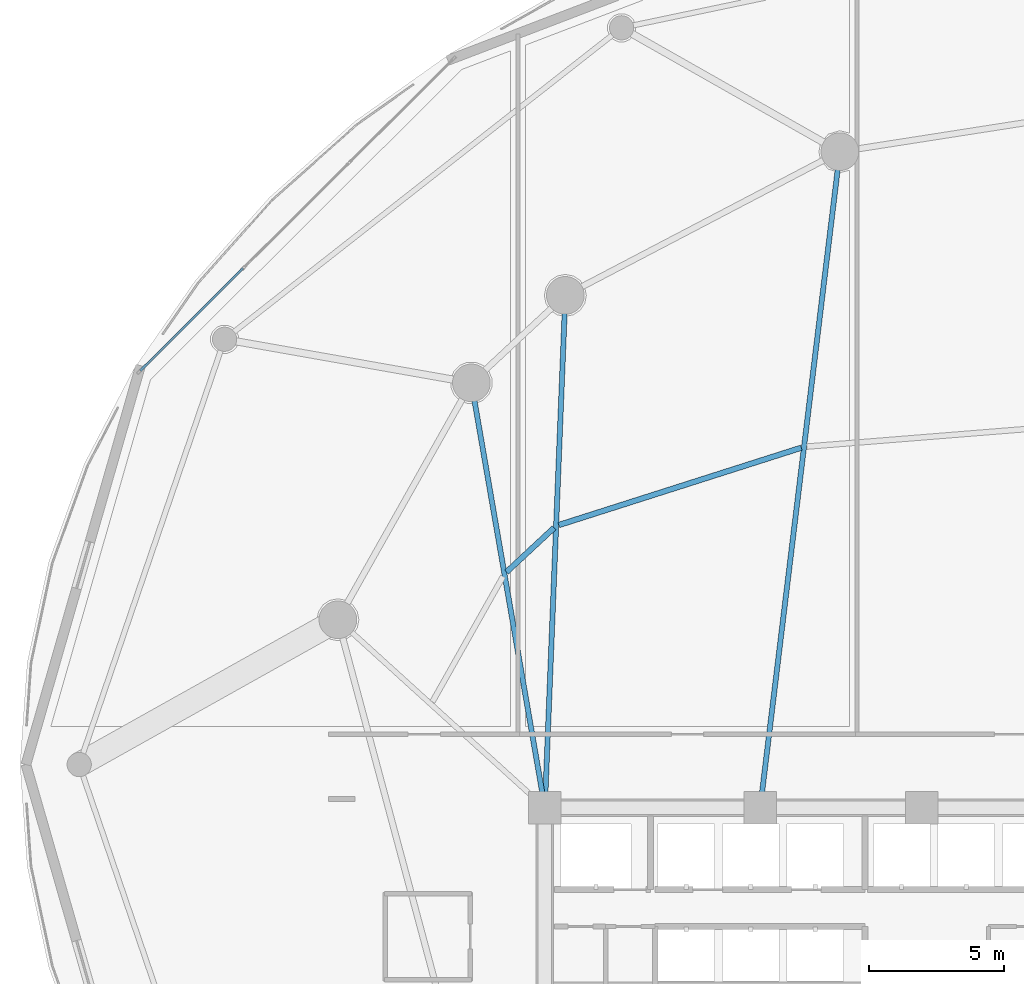
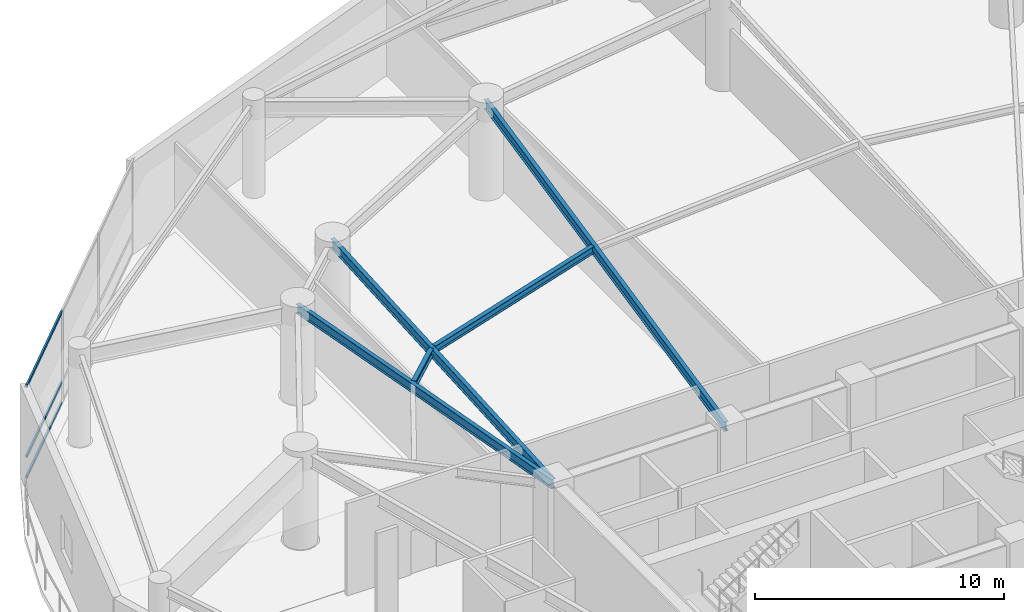
# One storey, part 7 of 36: 5 beams, 3 members, 1 element without a shape of its own.
"""IFC4 building model written with IfcOpenShell, lengths in metres."""

from ifc_helpers import new_model, si_unit, direction, frame, origin, origin_2d, place, context, subcontext, project, spatial, hollow_rectangle, i_section, extrude, material, layer, layer_set, material_profile, profile_set, type_object, element, aggregate, save


model = new_model("IFC4")

# Units and contexts
model_context = context("Model", 3, precision=1e-05, world=origin(), true_north=direction((0.0, 1.0)))
body_context = subcontext(model_context, "Body", "Model", "MODEL_VIEW")
ifc_project = project(units=[si_unit("LENGTHUNIT", "METRE"), si_unit("AREAUNIT", "SQUARE_METRE"), si_unit("VOLUMEUNIT", "CUBIC_METRE"), si_unit("PLANEANGLEUNIT", "RADIAN"), si_unit("MASSUNIT", "GRAM", prefix="KILO")], contexts=[model_context])

# Site, building, storey
site_placement = place(None, origin())
site = spatial("IfcSite", under=ifc_project, at=site_placement, CompositionType="ELEMENT")
building_placement = place(site_placement, origin())
building = spatial("IfcBuilding", under=site, at=building_placement, Name="Kazevale Care Tower and Concert Hall", CompositionType="ELEMENT")
storey_placement = place(building_placement, frame((0.0, 0.0, 14.39990234375)))
storey = spatial("IfcBuildingStorey", under=building, at=storey_placement, Name="L03", CompositionType="ELEMENT", Elevation=14.39990234375)

# Curtain wall, members
ifc_material_1 = material(Name="Aluminium 6063-T6 and Low-E Glass", Category="aluminium")
ifc_layer = layer(ifc_material_1, 0.179931640625)
ifc_layer_set = layer_set([ifc_layer], Name="Aluminium 6063-T6 and Low-E Glass")
curtain_wall_type = type_object("IfcCurtainWallType", Name="Podium Double-Skin Medical Curtain Wall CW-1", PredefinedType="NOTDEFINED", material=ifc_layer_set)
curtain_wall_placement = place(storey_placement, origin())
curtain_wall = element("IfcCurtainWall", 1, at=curtain_wall_placement, inside=storey, type_object=curtain_wall_type, Name="cw:L03:pod:06", PredefinedType="NOTDEFINED")
ifc_material_2 = material(Name="Aluminium 6063-T6", Category="aluminium")
ifc_material_profile_1 = material_profile(ifc_material_2, hollow_rectangle(XDim=0.080078125, YDim=0.139892578125, WallThickness=0.00390625, at=origin_2d()), Name="ALU80x140x4")
ifc_profile_set_1 = profile_set([ifc_material_profile_1], Name="Aluminium 6063-T6")
member_type = type_object("IfcMemberType", Name="CW-1 Transom ALU80x140x4", PredefinedType="USERDEFINED", material=ifc_profile_set_1)
member_1_placement = place(storey_placement, frame((10.785888671875, 56.432861328125, 0.0400390625), z_axis=(-0.708578901075, -0.705631590103, 0.0), x_axis=(0.705631590103, -0.708578901075, 0.0)))
member_1 = element("IfcMember", 2, at=member_1_placement, type_object=member_type, Name="CW-1 transom 3.1", ObjectType="TRANSOM", PredefinedType="USERDEFINED", context=body_context, shape_type="SweptSolid", body=[
    extrude(hollow_rectangle(XDim=0.080078125, YDim=0.139892578125, WallThickness=0.00390625, at=origin_2d()), origin(), (0.0, 0.0, 1.0), 5.38427734375),
])
member_2_placement = place(storey_placement, frame((10.785888671875, 56.432861328125, 1.050048828125), z_axis=(-0.708578901075, -0.705631590103, 0.0), x_axis=(0.705631590103, -0.708578901075, 0.0)))
member_2 = element("IfcMember", 3, at=member_2_placement, type_object=member_type, Name="CW-1 transom 3.2", ObjectType="TRANSOM", PredefinedType="USERDEFINED", context=body_context, shape_type="SweptSolid", body=[
    extrude(hollow_rectangle(XDim=0.080078125, YDim=0.139892578125, WallThickness=0.00390625, at=origin_2d()), origin(), (0.0, 0.0, 1.0), 5.38427734375),
])
member_3_placement = place(storey_placement, frame((10.785888671875, 56.432861328125, 4.47998046875), z_axis=(-0.708578901075, -0.705631590103, 0.0), x_axis=(0.705631590103, -0.708578901075, 0.0)))
member_3 = element("IfcMember", 4, at=member_3_placement, type_object=member_type, Name="CW-1 transom 3.3", ObjectType="TRANSOM", PredefinedType="USERDEFINED", context=body_context, shape_type="SweptSolid", body=[
    extrude(hollow_rectangle(XDim=0.080078125, YDim=0.139892578125, WallThickness=0.00390625, at=origin_2d()), origin(), (0.0, 0.0, 1.0), 5.38427734375),
])
aggregate(curtain_wall, [member_1, member_2, member_3])

# Beams
ifc_material_3 = material(Name="Steel ASTM A572 Gr 50", Category="steel")
ifc_material_profile_2 = material_profile(ifc_material_3, i_section(OverallWidth=0.19091796875, OverallDepth=0.4599609375, WebThickness=0.010009765625, FlangeThickness=0.01611328125, at=origin_2d()), Name="W460x82")
ifc_profile_set_2 = profile_set([ifc_material_profile_2], Name="Steel ASTM A572 Gr 50")
beam_type_1 = type_object("IfcBeamType", Name="Radial Floor Beam W460x82", PredefinedType="BEAM", material=ifc_profile_set_2)
beam_1_placement = place(storey_placement, frame((30.0, 36.39990234375, 4.2900390625), z_axis=(0.120572526662, 0.9927045209, 0.0), x_axis=(-0.9927045209, 0.120572526662, 0.0)))
element("IfcBeam", 5, at=beam_1_placement, inside=storey, type_object=beam_type_1, Name="beam:L03:rad:06", PredefinedType="BEAM", context=body_context, shape_type="SweptSolid", body=[
    extrude(i_section(OverallWidth=0.19091796875, OverallDepth=0.4599609375, WebThickness=0.010009765625, FlangeThickness=0.01611328125, at=origin_2d()), origin(), (0.0, 0.0, 1.0), 24.54931640625),
])
beam_2_placement = place(storey_placement, frame((22.0, 36.39990234375, 4.2900390625), z_axis=(0.039905581428, 0.999203455044, 0.0), x_axis=(-0.999203455044, 0.039905581428, 0.0)))
element("IfcBeam", 6, at=beam_2_placement, inside=storey, type_object=beam_type_1, Name="beam:L03:rad:07", PredefinedType="BEAM", context=body_context, shape_type="SweptSolid", body=[
    extrude(i_section(OverallWidth=0.19091796875, OverallDepth=0.4599609375, WebThickness=0.010009765625, FlangeThickness=0.01611328125, at=origin_2d()), origin(), (0.0, 0.0, 1.0), 19.045166015625),
])
beam_3_placement = place(storey_placement, frame((22.0, 36.39990234375, 4.2900390625), z_axis=(-0.170469986865, 0.985362868987, 0.0), x_axis=(-0.985362868987, -0.170469986865, 0.0)))
element("IfcBeam", 7, at=beam_3_placement, inside=storey, type_object=beam_type_1, Name="beam:L03:rad:08", PredefinedType="BEAM", context=body_context, shape_type="SweptSolid", body=[
    extrude(i_section(OverallWidth=0.19091796875, OverallDepth=0.4599609375, WebThickness=0.010009765625, FlangeThickness=0.01611328125, at=origin_2d()), origin(), (0.0, 0.0, 1.0), 16.014404296875),
])
ifc_material_profile_3 = material_profile(ifc_material_3, i_section(OverallWidth=0.205078125, OverallDepth=0.35400390625, WebThickness=0.009521484375, FlangeThickness=0.016845703125, at=origin_2d()), Name="W360x79")
ifc_profile_set_3 = profile_set([ifc_material_profile_3], Name="Steel ASTM A572 Gr 50")
beam_type_2 = type_object("IfcBeamType", Name="Secondary Floor Joist W360x79", PredefinedType="JOIST", material=ifc_profile_set_3)
beam_4_placement = place(storey_placement, frame((31.528076171875, 49.77197265625, 4.343017578125), z_axis=(-0.9527054955, -0.303895111584, 0.0), x_axis=(0.303895111584, -0.9527054955, 0.0)))
element("IfcBeam", 8, at=beam_4_placement, inside=storey, type_object=beam_type_2, Name="beam:L03:joist:06", PredefinedType="JOIST", context=body_context, shape_type="SweptSolid", body=[
    extrude(i_section(OverallWidth=0.205078125, OverallDepth=0.35400390625, WebThickness=0.009521484375, FlangeThickness=0.016845703125, at=origin_2d()), origin(), (0.0, 0.0, 1.0), 9.457275390625),
])
beam_5_placement = place(storey_placement, frame((22.341064453125, 46.794921875, 4.343017578125), z_axis=(-0.73194965424, -0.68135871878, 0.0), x_axis=(0.68135871878, -0.73194965424, 0.0)))
element("IfcBeam", 9, at=beam_5_placement, inside=storey, type_object=beam_type_2, Name="beam:L03:joist:07", PredefinedType="JOIST", context=body_context, shape_type="SweptSolid", body=[
    extrude(i_section(OverallWidth=0.205078125, OverallDepth=0.35400390625, WebThickness=0.009521484375, FlangeThickness=0.016845703125, at=origin_2d()), origin(), (0.0, 0.0, 1.0), 2.412841796875),
])

save(model, "model.ifc")
